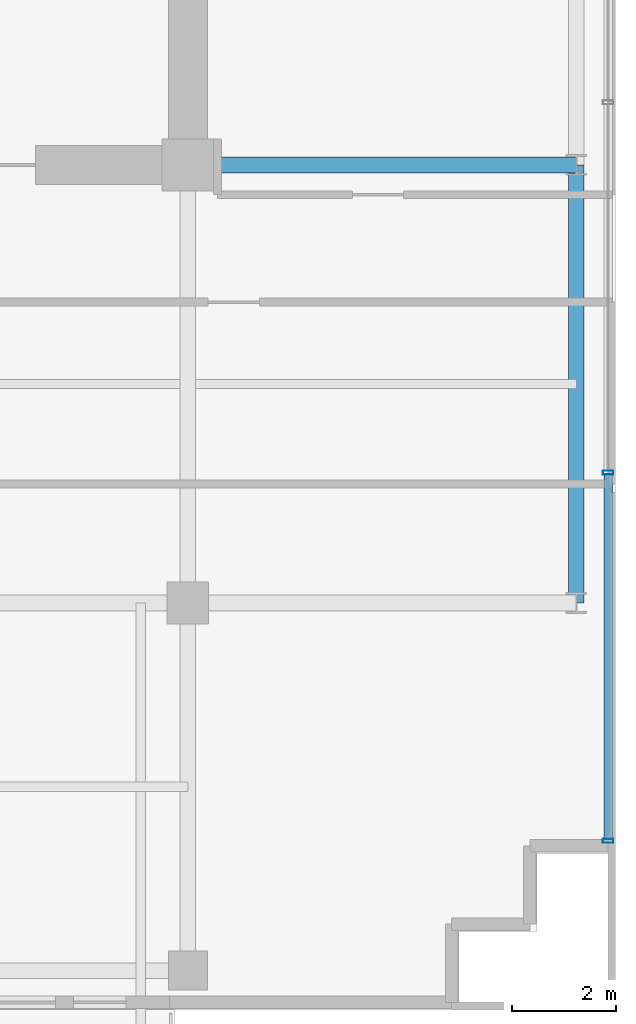
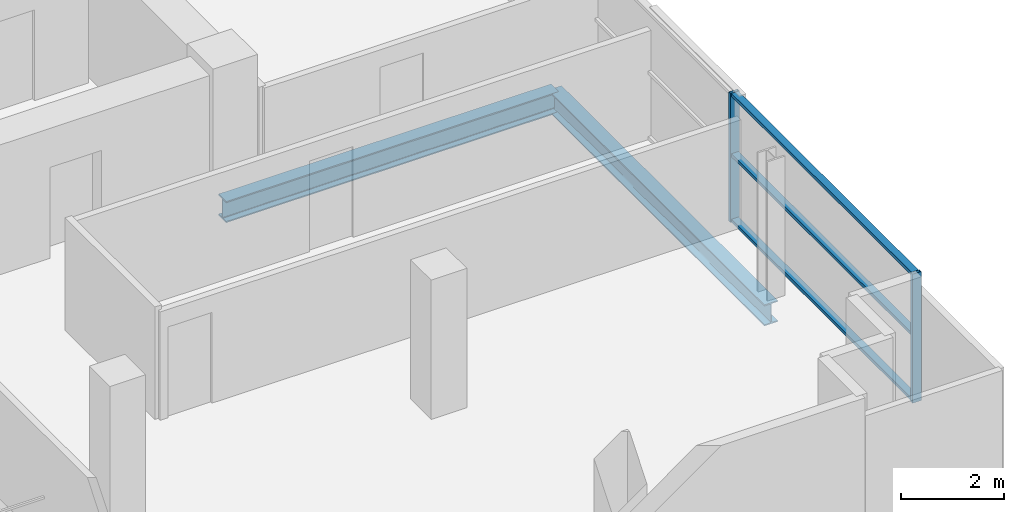
# One storey, part 6 of 21: 5 members, 2 beams, 1 element without a shape of its own.
"""IFC4 building model written with IfcOpenShell, lengths in metres."""

import ifcopenshell
import ifcopenshell.guid

model = None  # the IFC model being written
_history = None  # IfcOwnerHistory: only IFC2X3 demands one
_inside = {}  # id of a spatial element -> (the spatial element, [elements in it])
_under = {}  # id of a project, library or spatial element -> (it, [spatial elements below it])
_declared = {}  # id of a project -> (the project, [libraries it declares])
_typed = {}  # id of a type object -> (the type object, [elements of that type])
_made_of = {}  # id of a material, layer set ... -> (it, [elements and type objects made of it])


def new_model(schema):
    """Start an empty IFC model of exactly this schema.

    Asked for "IFC4X3", IfcOpenShell would pick the latest addendum, in which some entities
    have other attributes; the version numbers below select the first issue.
    IFC2X3 requires an IfcOwnerHistory on every rooted entity: one is made here for all.
    """
    global model, _history
    if schema == "IFC4X3":
        model = ifcopenshell.file(schema_version=(4, 3, 0, 0))
    else:
        model = ifcopenshell.file(schema=schema)
    _inside.clear()
    _under.clear()
    _declared.clear()
    _typed.clear()
    _made_of.clear()
    _history = None
    if model.schema == "IFC2X3":
        org = make("IfcOrganization", Name="unknown")
        user = make(
            "IfcPersonAndOrganization",
            ThePerson=make("IfcPerson", FamilyName="unknown"),
            TheOrganization=org,
        )
        app = make(
            "IfcApplication",
            ApplicationDeveloper=org,
            Version="unknown",
            ApplicationFullName="unknown",
            ApplicationIdentifier="unknown",
        )
        _history = make(
            "IfcOwnerHistory",
            OwningUser=user,
            OwningApplication=app,
            ChangeAction="ADDED",
            CreationDate=0,
        )
    return model


def make(cls, **values):
    """One entity of the class cls with the attributes given. An attribute that is None is left unset."""
    return model.create_entity(
        cls, **{name: value for name, value in values.items() if value is not None}
    )


def rooted(cls, **values):
    """An entity with a GlobalId (a new one), such as an element, a storey or a relation."""
    return make(cls, GlobalId=ifcopenshell.guid.new(), OwnerHistory=_history, **values)


def si_unit(unit_type, name, prefix=None):
    """IfcSIUnit, for example si_unit("LENGTHUNIT", "METRE", prefix="MILLI")."""
    return make("IfcSIUnit", UnitType=unit_type, Prefix=prefix, Name=name)


def assignment(units):
    """IfcUnitAssignment: the units of a project."""
    return None if units is None else make("IfcUnitAssignment", Units=units)


def point(xyz):
    """IfcCartesianPoint."""
    return None if xyz is None else make("IfcCartesianPoint", Coordinates=xyz)


def direction(xyz):
    """IfcDirection."""
    return None if xyz is None else make("IfcDirection", DirectionRatios=xyz)


def frame(location, z_axis=None, x_axis=None):
    """IfcAxis2Placement3D, a coordinate frame: its origin and axes. An axis left out is left unset."""
    return make(
        "IfcAxis2Placement3D",
        Location=point(location),
        Axis=direction(z_axis),
        RefDirection=direction(x_axis),
    )


def frame_2d(location, x_axis=None):
    """IfcAxis2Placement2D, a coordinate frame in the plane: its origin and x axis."""
    return make(
        "IfcAxis2Placement2D", Location=point(location), RefDirection=direction(x_axis)
    )


def origin():
    """The frame at (0, 0, 0) with its axes left unset."""
    return frame((0.0, 0.0, 0.0))


def origin_2d():
    """The frame at (0, 0) in the plane with its x axis left unset."""
    return frame_2d((0.0, 0.0))


def place(relative_to, where):
    """IfcLocalPlacement: puts the frame where relative to a parent placement (None: the world)."""
    return make(
        "IfcLocalPlacement", PlacementRelTo=relative_to, RelativePlacement=where
    )


def context(
    kind, dimensions, precision=None, world=None, true_north=None, identifier=None
):
    """IfcGeometricRepresentationContext, for example the 3D "Model" context."""
    return make(
        "IfcGeometricRepresentationContext",
        ContextIdentifier=identifier,
        ContextType=kind,
        CoordinateSpaceDimension=dimensions,
        Precision=precision,
        WorldCoordinateSystem=world,
        TrueNorth=true_north,
    )


def subcontext(parent, identifier, kind, view, scale=None):
    """IfcGeometricRepresentationSubContext, for example "Body" below "Model"."""
    return make(
        "IfcGeometricRepresentationSubContext",
        ContextIdentifier=identifier,
        ContextType=kind,
        ParentContext=parent,
        TargetScale=scale,
        TargetView=view,
    )


def project(units=None, contexts=None):
    """IfcProject with its units and contexts."""
    return rooted(
        "IfcProject",
        Name="project",
        RepresentationContexts=contexts,
        UnitsInContext=assignment(units),
    )


def spatial(cls, under=None, at=None, **own):
    """A site, building, storey or space (cls), placed at a placement, below another one or the project."""
    s = rooted(cls, ObjectPlacement=at, **own)
    if under is not None:
        _under.setdefault(under.id(), (under, []))[1].append(s)
    return s


def profile(cls, at=None, kind="AREA", **sizes):
    """A parametric profile (cls). Its sizes go by their IFC names, for example OverallWidth=200.0."""
    return make(cls, ProfileType=kind, Position=at, **sizes)


def hollow_rectangle(**sizes):
    """IfcRectangleHollowProfileDef."""
    return profile("IfcRectangleHollowProfileDef", **sizes)


def i_section(**sizes):
    """IfcIShapeProfileDef."""
    return profile("IfcIShapeProfileDef", **sizes)


def extrude(swept, where, along, depth):
    """IfcExtrudedAreaSolid: the profile swept, set in the frame where, extruded along a direction by depth."""
    return make(
        "IfcExtrudedAreaSolid",
        SweptArea=swept,
        Position=where,
        ExtrudedDirection=direction(along),
        Depth=depth,
    )


def shape(context_of_items, identifier, shape_type, items):
    """IfcShapeRepresentation: the items that make up one representation, for example the "Body"."""
    return make(
        "IfcShapeRepresentation",
        ContextOfItems=context_of_items,
        RepresentationIdentifier=identifier,
        RepresentationType=shape_type,
        Items=items,
    )


def source(mapping_origin, context_of_items, identifier, shape_type, items):
    """IfcRepresentationMap: a shape defined once, which mapped items show again and again."""
    return make(
        "IfcRepresentationMap",
        MappingOrigin=mapping_origin,
        MappedRepresentation=shape(context_of_items, identifier, shape_type, items),
    )


def transform(
    local_origin,
    x_axis=None,
    y_axis=None,
    z_axis=None,
    scale=None,
    scale2=None,
    scale3=None,
    uniform=True,
):
    """IfcCartesianTransformationOperator3D, or its non-uniform kind. x_axis, y_axis, z_axis: its Axis1, 2, 3."""
    if uniform:
        return make(
            "IfcCartesianTransformationOperator3D",
            Axis1=direction(x_axis),
            Axis2=direction(y_axis),
            LocalOrigin=point(local_origin),
            Scale=scale,
            Axis3=direction(z_axis),
        )
    return make(
        "IfcCartesianTransformationOperator3DnonUniform",
        Axis1=direction(x_axis),
        Axis2=direction(y_axis),
        LocalOrigin=point(local_origin),
        Scale=scale,
        Axis3=direction(z_axis),
        Scale2=scale2,
        Scale3=scale3,
    )


def mapped(mapping_source, mapping_target):
    """IfcMappedItem: shows the shape of a source again, moved by a transform."""
    return make(
        "IfcMappedItem", MappingSource=mapping_source, MappingTarget=mapping_target
    )


def material(Name=None, Category=None):
    """IfcMaterial."""
    return make("IfcMaterial", Name=Name, Category=Category)


def layer(
    of_material, thickness, ventilated=None, Name=None, Category=None, Priority=None
):
    """IfcMaterialLayer: one layer of a wall or slab, of a material (None: an air gap)."""
    return make(
        "IfcMaterialLayer",
        Material=of_material,
        LayerThickness=thickness,
        IsVentilated=ventilated,
        Name=Name,
        Category=Category,
        Priority=Priority,
    )


def layer_set(layers, Name=None):
    """IfcMaterialLayerSet."""
    return make("IfcMaterialLayerSet", MaterialLayers=layers, LayerSetName=Name)


def material_profile(
    of_material, cross_section, Name=None, Category=None, Priority=None
):
    """IfcMaterialProfile: a cross section and its material."""
    return make(
        "IfcMaterialProfile",
        Name=Name,
        Material=of_material,
        Profile=cross_section,
        Priority=Priority,
        Category=Category,
    )


def profile_set(profiles, Name=None, composite=None):
    """IfcMaterialProfileSet."""
    return make(
        "IfcMaterialProfileSet",
        Name=Name,
        MaterialProfiles=profiles,
        CompositeProfile=composite,
    )


def made_of(thing, what):
    """Note that an element or type object is made of a material, layer set ...; save() writes the relation."""
    if what is not None:
        _made_of.setdefault(what.id(), (what, []))[1].append(thing)
    return thing


def type_object(cls, material=None, **own):
    """A type object (cls), such as IfcWallType, which elements share."""
    return made_of(rooted(cls, **own), material)


def element(
    cls,
    number,
    at=None,
    inside=None,
    cuts=None,
    type_object=None,
    material=None,
    context=None,
    identifier="Body",
    shape_type=None,
    held_by="IfcProductDefinitionShape",
    body=None,
    shapes=None,
    **own,
):
    """One element of the class cls, such as IfcWall. Its Tag is "e" and its number.

    at: its placement. inside: the storey or other place that contains it. cuts: it is an
    opening in that element (IfcRelVoidsElement). A single representation is given by context,
    identifier, shape_type and body (its items); several are given by shapes. held_by: the class
    of the entity that holds the representations. save() writes the other relations.
    """
    e = rooted(cls, Tag="e%d" % number, ObjectPlacement=at, **own)
    if body is not None:
        shapes = [shape(context, identifier, shape_type, body)]
    if shapes is not None:
        e.Representation = make(held_by, Representations=shapes)
    if inside is not None:
        _inside.setdefault(inside.id(), (inside, []))[1].append(e)
    if cuts is not None:
        rooted(
            "IfcRelVoidsElement", RelatingBuildingElement=cuts, RelatedOpeningElement=e
        )
    if type_object is not None:
        _typed.setdefault(type_object.id(), (type_object, []))[1].append(e)
    return made_of(e, material)


def aggregate(whole, parts):
    """IfcRelAggregates: a whole, such as a stair, and the parts it consists of."""
    return rooted("IfcRelAggregates", RelatingObject=whole, RelatedObjects=parts)


def save(model, path):
    """Write the relations noted so far, then the file.

    IfcRelAggregates (storeys below a building ...), IfcRelContainedInSpatialStructure (elements
    in a storey), IfcRelDefinesByType, IfcRelAssociatesMaterial and IfcRelDeclares: one each for
    every whole, place, type object, material and project.
    """
    for whole, parts in _under.values():
        aggregate(whole, parts)
    for where, things in _inside.values():
        rooted(
            "IfcRelContainedInSpatialStructure",
            RelatedElements=things,
            RelatingStructure=where,
        )
    for kind, things in _typed.values():
        rooted("IfcRelDefinesByType", RelatedObjects=things, RelatingType=kind)
    for what, things in _made_of.values():
        rooted("IfcRelAssociatesMaterial", RelatedObjects=things, RelatingMaterial=what)
    for by, libraries in _declared.values():
        rooted("IfcRelDeclares", RelatingContext=by, RelatedDefinitions=libraries)
    model.write(path)


model = new_model("IFC4")

# Units and contexts
model_context = context("Model", 3, precision=1e-05, world=origin(), true_north=direction((0.0, 1.0)))
body_context = subcontext(model_context, "Body", "Model", "MODEL_VIEW")
ifc_project = project(units=[si_unit("LENGTHUNIT", "METRE"), si_unit("AREAUNIT", "SQUARE_METRE"), si_unit("VOLUMEUNIT", "CUBIC_METRE"), si_unit("PLANEANGLEUNIT", "RADIAN"), si_unit("MASSUNIT", "GRAM", prefix="KILO")], contexts=[model_context])

# Site, building, storey
site_placement = place(None, origin())
site = spatial("IfcSite", under=ifc_project, at=site_placement, CompositionType="ELEMENT")
building_placement = place(site_placement, origin())
building = spatial("IfcBuilding", under=site, at=building_placement, Name="Zarnakvel Exchange Tower", CompositionType="ELEMENT")
storey_placement = place(building_placement, frame((0.0, 0.0, 166.0)))
storey = spatial("IfcBuildingStorey", under=building, at=storey_placement, Name="L46", CompositionType="ELEMENT", Elevation=166.0)

# Beams
ifc_material_1 = material(Name="Steel S355", Category="steel")
ifc_material_profile_1 = material_profile(ifc_material_1, i_section(OverallWidth=0.300048828125, OverallDepth=0.5, WebThickness=0.014404296875, FlangeThickness=0.028076171875, FilletRadius=0.027099609375, at=origin_2d()))
ifc_profile_set_1 = profile_set([ifc_material_profile_1], Name="Steel S355")
beam_type_1 = type_object("IfcBeamType", Name="G-06", PredefinedType="BEAM", material=ifc_profile_set_1)
beam_1_placement = place(storey_placement, frame((14.39990234375, -1.199951171875, -0.47509765625), z_axis=(1.0, 0.0, 0.0), x_axis=(0.0, 1.0, 0.0)))
element("IfcBeam", 1, at=beam_1_placement, inside=storey, type_object=beam_type_1, Name="L46 Tower E-W Frame Beam", PredefinedType="BEAM", context=body_context, shape_type="SweptSolid", body=[
    extrude(i_section(OverallWidth=0.300048828125, OverallDepth=0.5, WebThickness=0.014404296875, FlangeThickness=0.028076171875, FilletRadius=0.027099609375, at=origin_2d()), origin(), (0.0, 0.0, 1.0), 7.4501953125),
])
ifc_material_profile_2 = material_profile(ifc_material_1, i_section(OverallWidth=0.300048828125, OverallDepth=0.5, WebThickness=0.014404296875, FlangeThickness=0.028076171875, FilletRadius=0.027099609375, at=origin_2d()))
ifc_profile_set_2 = profile_set([ifc_material_profile_2], Name="Steel S355")
beam_type_2 = type_object("IfcBeamType", Name="SP-02", PredefinedType="SPANDREL", material=ifc_profile_set_2)
beam_2_placement = place(storey_placement, frame((21.85009765625, -9.60009765625, -0.47509765625), z_axis=(0.0, 1.0, 0.0), x_axis=(-1.0, 0.0, 0.0)))
element("IfcBeam", 2, at=beam_2_placement, inside=storey, type_object=beam_type_2, Name="L46 Tower N-S Frame Beam", PredefinedType="SPANDREL", context=body_context, shape_type="SweptSolid", body=[
    extrude(i_section(OverallWidth=0.300048828125, OverallDepth=0.5, WebThickness=0.014404296875, FlangeThickness=0.028076171875, FilletRadius=0.027099609375, at=origin_2d()), origin(), (0.0, 0.0, 1.0), 8.400146484375),
])

# Curtain wall, members
ifc_material_2 = material(Name="Architectural Bronze Anodised Aluminium", Category="aluminium")
ifc_layer = layer(ifc_material_2, 0.199951171875)
ifc_layer_set = layer_set([ifc_layer], Name="Architectural Bronze Anodised Aluminium")
curtain_wall_type = type_object("IfcCurtainWallType", Name="CW-04", PredefinedType="NOTDEFINED", material=ifc_layer_set)
curtain_wall_placement = place(storey_placement, origin())
curtain_wall = element("IfcCurtainWall", 3, at=curtain_wall_placement, inside=storey, type_object=curtain_wall_type, Name="L46 Curtain Wall CW-L46-E1 (CW-04)", PredefinedType="NOTDEFINED")
ifc_material_profile_3 = material_profile(ifc_material_2, hollow_rectangle(XDim=0.199951171875, YDim=0.074951171875, WallThickness=0.0048828125, at=origin_2d()))
ifc_profile_set_3 = profile_set([ifc_material_profile_3], Name="Architectural Bronze Anodised Aluminium")
member_type_1 = type_object("IfcMemberType", Name="CWM-04", PredefinedType="MULLION", material=ifc_profile_set_3)
shared_shape_1 = source(origin(), body_context, "Body", "SweptSolid", [
    extrude(hollow_rectangle(XDim=0.199951171875, YDim=0.074951171875, WallThickness=0.0048828125, at=origin_2d()), origin(), (0.0, 0.0, 1.0), 3.054931640625),
])
member_1_placement = place(storey_placement, frame((22.4599609375, -14.16259765625, 0.0), z_axis=(0.0, 0.0, 1.0), x_axis=(-1.0, 0.0, 0.0)))
member_1 = element("IfcMember", 4, at=member_1_placement, type_object=member_type_1, Name="CW-04 mullion 1", PredefinedType="MULLION", context=body_context, shape_type="MappedRepresentation", body=[
    mapped(shared_shape_1, transform((0.0, 0.0, 0.0), x_axis=(1.0, 0.0, 0.0), y_axis=(0.0, 1.0, 0.0), z_axis=(0.0, 0.0, 1.0), scale=1.0)),
])
member_2_placement = place(storey_placement, frame((22.4599609375, -7.10009765625, 0.0), z_axis=(0.0, 0.0, 1.0), x_axis=(-1.0, 0.0, 0.0)))
member_2 = element("IfcMember", 5, at=member_2_placement, type_object=member_type_1, Name="CW-04 mullion 2", PredefinedType="MULLION", context=body_context, shape_type="MappedRepresentation", body=[
    mapped(shared_shape_1, transform((0.0, 0.0, 0.0), x_axis=(1.0, 0.0, 0.0), y_axis=(0.0, 1.0, 0.0), z_axis=(0.0, 0.0, 1.0), scale=1.0)),
])
ifc_material_profile_4 = material_profile(ifc_material_2, hollow_rectangle(XDim=0.159912109375, YDim=0.074951171875, WallThickness=0.00390625, at=origin_2d()))
ifc_profile_set_4 = profile_set([ifc_material_profile_4], Name="Architectural Bronze Anodised Aluminium")
member_type_2 = type_object("IfcMemberType", Name="CWT-04", PredefinedType="USERDEFINED", material=ifc_profile_set_4)
shared_shape_2 = source(origin(), body_context, "Body", "SweptSolid", [
    extrude(hollow_rectangle(XDim=0.159912109375, YDim=0.074951171875, WallThickness=0.00390625, at=origin_2d()), origin(), (0.0, 0.0, 1.0), 6.987548828125),
])
member_3_placement = place(storey_placement, frame((22.4599609375, -14.125, 0.03759765625), z_axis=(0.0, 1.0, 0.0), x_axis=(-1.0, 0.0, 0.0)))
member_3 = element("IfcMember", 6, at=member_3_placement, type_object=member_type_2, Name="CW-04 transom 1.1", ObjectType="TRANSOM", PredefinedType="USERDEFINED", context=body_context, shape_type="MappedRepresentation", body=[
    mapped(shared_shape_2, transform((0.0, 0.0, 0.0), x_axis=(1.0, 0.0, 0.0), y_axis=(0.0, 1.0, 0.0), z_axis=(0.0, 0.0, 1.0), scale=1.0)),
])
member_4_placement = place(storey_placement, frame((22.4599609375, -14.125, 1.588623046875), z_axis=(0.0, 1.0, 0.0), x_axis=(-1.0, 0.0, 0.0)))
member_4 = element("IfcMember", 7, at=member_4_placement, type_object=member_type_2, Name="CW-04 transom 1.2", ObjectType="TRANSOM", PredefinedType="USERDEFINED", context=body_context, shape_type="MappedRepresentation", body=[
    mapped(shared_shape_2, transform((0.0, 0.0, 0.0), x_axis=(1.0, 0.0, 0.0), y_axis=(0.0, 1.0, 0.0), z_axis=(0.0, 0.0, 1.0), scale=1.0)),
])
member_5_placement = place(storey_placement, frame((22.4599609375, -14.125, 3.017578125), z_axis=(0.0, 1.0, 0.0), x_axis=(-1.0, 0.0, 0.0)))
member_5 = element("IfcMember", 8, at=member_5_placement, type_object=member_type_2, Name="CW-04 transom 1.3", ObjectType="TRANSOM", PredefinedType="USERDEFINED", context=body_context, shape_type="MappedRepresentation", body=[
    mapped(shared_shape_2, transform((0.0, 0.0, 0.0), x_axis=(1.0, 0.0, 0.0), y_axis=(0.0, 1.0, 0.0), z_axis=(0.0, 0.0, 1.0), scale=1.0)),
])
aggregate(curtain_wall, [member_1, member_2, member_3, member_4, member_5])

save(model, "model.ifc")
